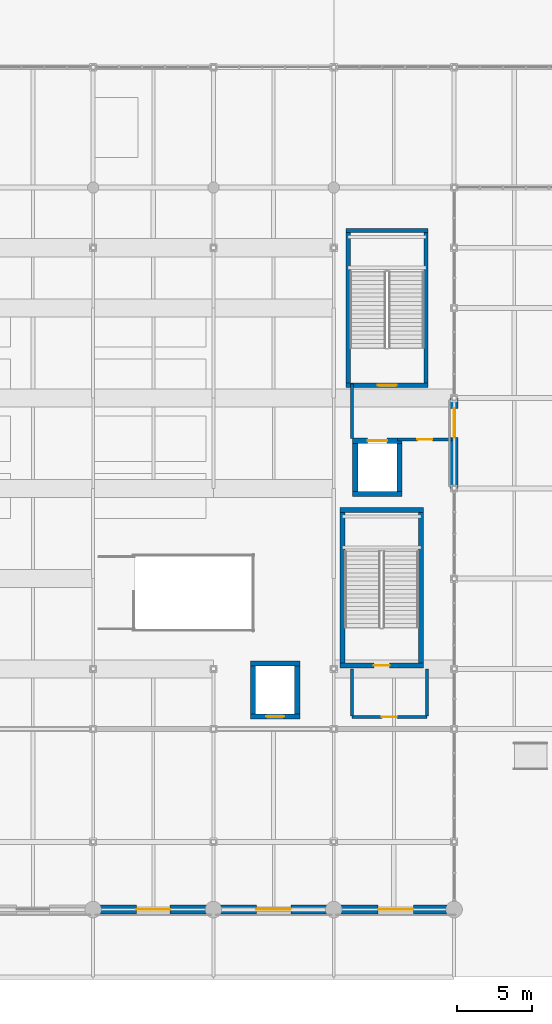
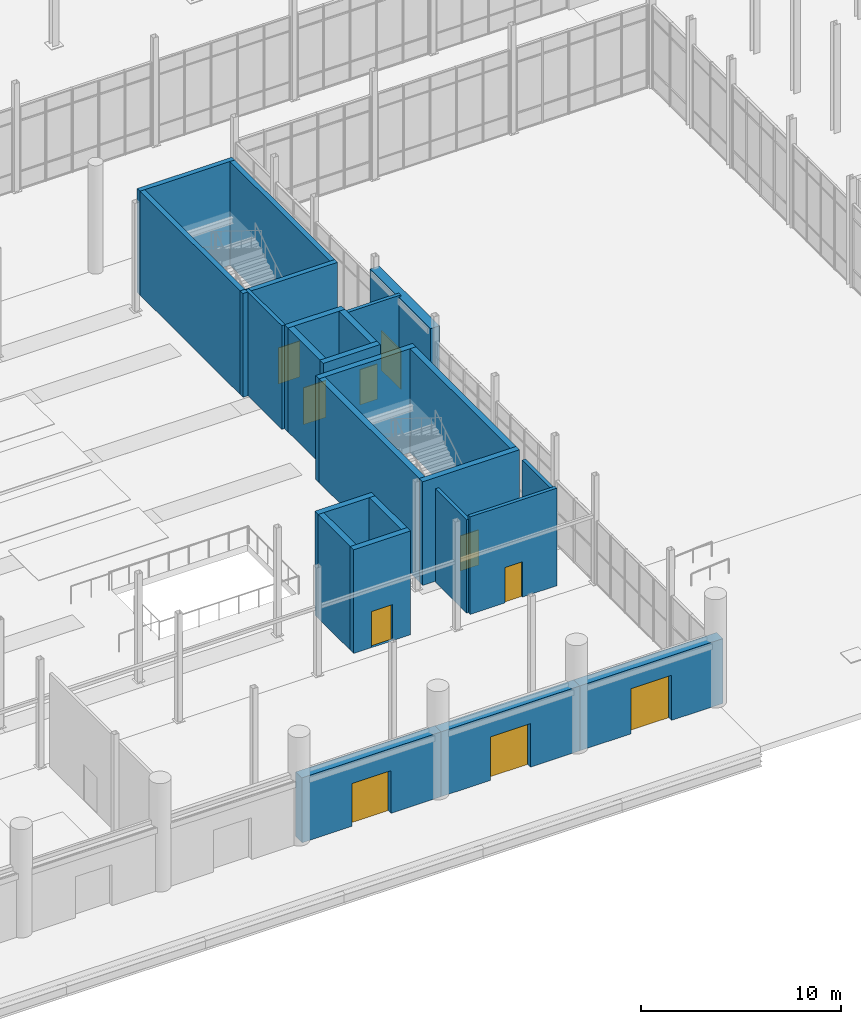
# One storey, part 122 of 140: 25 walls, 10 doors, 10 openings.
"""IFC4 building model written with IfcOpenShell, lengths in metres."""

from ifc_helpers import new_model, si_unit, direction, frame, frame_2d, origin, place, context, subcontext, project, spatial, rectangle, extrude, material, layer, layer_set, type_object, element, fill, save


model = new_model("IFC4")

# Units and contexts
model_context = context("Model", 3, precision=1e-05, world=origin(), true_north=direction((0.0, 1.0)))
body_context = subcontext(model_context, "Body", "Model", "MODEL_VIEW")
ifc_project = project(units=[si_unit("LENGTHUNIT", "METRE"), si_unit("AREAUNIT", "SQUARE_METRE"), si_unit("VOLUMEUNIT", "CUBIC_METRE"), si_unit("PLANEANGLEUNIT", "RADIAN"), si_unit("MASSUNIT", "GRAM", prefix="KILO")], contexts=[model_context])

# Site, building, storey
site_placement = place(None, origin())
site = spatial("IfcSite", under=ifc_project, at=site_placement, CompositionType="ELEMENT")
building_placement = place(site_placement, origin())
building = spatial("IfcBuilding", under=site, at=building_placement, Name="Verrall Gate Interchange", CompositionType="ELEMENT")
storey_placement = place(building_placement, origin())
storey = spatial("IfcBuildingStorey", under=building, at=storey_placement, Name="L01", CompositionType="ELEMENT", Elevation=0.0)

# Wall, opening, door
ifc_material_1 = material(Name="Prairie Charcoal Granite Plinth Rainscreen Assembly (U=0.18)", Category="masonry")
ifc_layer_1 = layer(ifc_material_1, 0.52001953125)
ifc_layer_set_1 = layer_set([ifc_layer_1], Name="Prairie Charcoal Granite Plinth Rainscreen Assembly (U=0.18)")
wall_type_1 = type_object("IfcWallType", Name="EW-03 Exterior Solid Wall 520", PredefinedType="SOLIDWALL", material=ifc_layer_set_1)
wall_1_placement = place(storey_placement, frame((108.0, 34.008056640625, 0.0), z_axis=(0.0, 0.0, 1.0), x_axis=(0.0, -1.0, 0.0)))
wall_1 = element("IfcWall", 1, at=wall_1_placement, inside=storey, type_object=wall_type_1, Name="L01 Classical Limestone Facade Wall 016", PredefinedType="SOLIDWALL", context=body_context, shape_type="SweptSolid", body=[
    extrude(rectangle(XDim=6.01611328125, YDim=0.52001953125, at=frame_2d((3.008056640625, 0.0))), origin(), (0.0, 0.0, 1.0), 5.8369140625),
])
opening_1_placement = place(wall_1_placement, frame((0.68310546875, 0.0, 0.0)))
opening_1 = element("IfcOpeningElement", 2, at=opening_1_placement, cuts=wall_1, Name="Opening E16", PredefinedType="OPENING", context=body_context, shape_type="SweptSolid", body=[
    extrude(rectangle(XDim=1.949951171875, YDim=2.39990234375, at=frame_2d((0.97509765625, 1.199951171875))), frame((0.0, 0.27490234375, 0.0), z_axis=(0.0, -1.0, 0.0), x_axis=(1.0, 0.0, 0.0)), (0.0, 0.0, 1.0), 0.5498046875),
])
ifc_material_2 = material(Name="Thermally Broken Bronze-Anodized Aluminium Entrance Assembly", Category="aluminium")
door_type_1 = type_object("IfcDoorType", Name="ED-01 Exterior Entrance Door 1950x2400", OperationType="NOTDEFINED", PredefinedType="DOOR", material=ifc_material_2)
door_1_placement = place(opening_1_placement, origin())
door_1 = element("IfcDoor", 3, at=door_1_placement, inside=storey, type_object=door_type_1, Name="Main Interchange Exit Portal E16", OperationType="DOUBLE_DOOR_SINGLE_SWING", OverallHeight=2.39990234375, OverallWidth=1.949951171875, PredefinedType="DOOR", context=body_context, shape_type="SweptSolid", body=[
    extrude(rectangle(XDim=1.949951171875, YDim=2.39990234375, at=frame_2d((0.97509765625, 1.199951171875))), frame((0.0, 0.02490234375, 0.0), z_axis=(0.0, -1.0, 0.0), x_axis=(1.0, 0.0, 0.0)), (0.0, 0.0, 1.0), 0.050048828125),
])
fill(opening_1, door_1)

ifc_material_3 = material(Name="Prairie Charcoal Granite Plinth Rainscreen Assembly (U=0.18)", Category="masonry")
ifc_layer_2 = layer(ifc_material_3, 0.6201171875)
ifc_layer_set_2 = layer_set([ifc_layer_2], Name="Prairie Charcoal Granite Plinth Rainscreen Assembly (U=0.18)")
wall_type_2 = type_object("IfcWallType", Name="EW-05 Exterior Solid Wall 620", PredefinedType="SOLIDWALL", material=ifc_layer_set_2)
wall_2_placement = place(storey_placement, frame((83.991943359375, 0.0, 0.0), z_axis=(0.0, 0.0, 1.0), x_axis=(1.0, 0.0, 0.0)))
wall_2 = element("IfcWall", 4, at=wall_2_placement, inside=storey, type_object=wall_type_2, Name="L01 Classical Limestone Facade Wall 013", PredefinedType="SOLIDWALL", context=body_context, shape_type="SweptSolid", body=[
    extrude(rectangle(XDim=8.01611328125, YDim=0.6201171875, at=frame_2d((4.008056640625, 0.0))), origin(), (0.0, 0.0, 1.0), 3.952880859375),
])
opening_2_placement = place(wall_2_placement, frame((2.887939453125, 0.0, 0.0)))
opening_2 = element("IfcOpeningElement", 5, at=opening_2_placement, cuts=wall_2, Name="Opening E13", PredefinedType="OPENING", context=body_context, shape_type="SweptSolid", body=[
    extrude(rectangle(XDim=2.239990234375, YDim=2.60009765625, at=frame_2d((1.1201171875, 1.300048828125))), frame((0.0, 0.324951171875, 0.0), z_axis=(0.0, -1.0, 0.0), x_axis=(1.0, 0.0, 0.0)), (0.0, 0.0, 1.0), 0.64990234375),
])
ifc_material_4 = material(Name="Thermally Broken Bronze-Anodized Aluminium Entrance Assembly", Category="aluminium")
door_type_2 = type_object("IfcDoorType", Name="ED-05 Exterior Entrance Door 2240x2600", OperationType="NOTDEFINED", PredefinedType="DOOR", material=ifc_material_4)
door_2_placement = place(opening_2_placement, origin())
door_2 = element("IfcDoor", 6, at=door_2_placement, inside=storey, type_object=door_type_2, Name="Main Interchange Exit Portal E13", OperationType="DOUBLE_DOOR_SINGLE_SWING", OverallHeight=2.60009765625, OverallWidth=2.239990234375, PredefinedType="DOOR", context=body_context, shape_type="SweptSolid", body=[
    extrude(rectangle(XDim=2.239990234375, YDim=2.60009765625, at=frame_2d((1.1201171875, 1.300048828125))), frame((0.0, 0.02490234375, 0.0), z_axis=(0.0, -1.0, 0.0), x_axis=(1.0, 0.0, 0.0)), (0.0, 0.0, 1.0), 0.050048828125),
])
fill(opening_2, door_2)

wall_3_placement = place(storey_placement, frame((91.991943359375, 0.0, 0.0), z_axis=(0.0, 0.0, 1.0), x_axis=(1.0, 0.0, 0.0)))
wall_3 = element("IfcWall", 7, at=wall_3_placement, inside=storey, type_object=wall_type_2, Name="L01 Classical Limestone Facade Wall 014", PredefinedType="SOLIDWALL", context=body_context, shape_type="SweptSolid", body=[
    extrude(rectangle(XDim=8.01611328125, YDim=0.6201171875, at=frame_2d((4.008056640625, 0.0))), origin(), (0.0, 0.0, 1.0), 3.952880859375),
])
opening_3_placement = place(wall_3_placement, frame((2.85791015625, 0.0, 0.0)))
opening_3 = element("IfcOpeningElement", 8, at=opening_3_placement, cuts=wall_3, Name="Opening E14", PredefinedType="OPENING", context=body_context, shape_type="SweptSolid", body=[
    extrude(rectangle(XDim=2.300048828125, YDim=2.64990234375, at=frame_2d((1.14990234375, 1.324951171875))), frame((0.0, 0.324951171875, 0.0), z_axis=(0.0, -1.0, 0.0), x_axis=(1.0, 0.0, 0.0)), (0.0, 0.0, 1.0), 0.64990234375),
])
ifc_material_5 = material(Name="Thermally Broken Bronze-Anodized Aluminium Entrance Assembly", Category="aluminium")
door_type_3 = type_object("IfcDoorType", Name="ED-06 Exterior Entrance Door 2300x2650", OperationType="NOTDEFINED", PredefinedType="DOOR", material=ifc_material_5)
door_3_placement = place(opening_3_placement, origin())
door_3 = element("IfcDoor", 9, at=door_3_placement, inside=storey, type_object=door_type_3, Name="Main Interchange Exit Portal E14", OperationType="DOUBLE_DOOR_SINGLE_SWING", OverallHeight=2.64990234375, OverallWidth=2.300048828125, PredefinedType="DOOR", context=body_context, shape_type="SweptSolid", body=[
    extrude(rectangle(XDim=2.300048828125, YDim=2.64990234375, at=frame_2d((1.14990234375, 1.324951171875))), frame((0.0, 0.02490234375, 0.0), z_axis=(0.0, -1.0, 0.0), x_axis=(1.0, 0.0, 0.0)), (0.0, 0.0, 1.0), 0.050048828125),
])
fill(opening_3, door_3)

wall_4_placement = place(storey_placement, frame((99.991943359375, 0.0, 0.0), z_axis=(0.0, 0.0, 1.0), x_axis=(1.0, 0.0, 0.0)))
wall_4 = element("IfcWall", 10, at=wall_4_placement, inside=storey, type_object=wall_type_2, Name="L01 Classical Limestone Facade Wall 015", PredefinedType="SOLIDWALL", context=body_context, shape_type="SweptSolid", body=[
    extrude(rectangle(XDim=8.258056640625, YDim=0.6201171875, at=frame_2d((4.12890625, 0.0))), origin(), (0.0, 0.0, 1.0), 3.952880859375),
])
opening_4_placement = place(wall_4_placement, frame((2.958984375, 0.0, 0.0)))
opening_4 = element("IfcOpeningElement", 11, at=opening_4_placement, cuts=wall_4, Name="Opening E15", PredefinedType="OPENING", context=body_context, shape_type="SweptSolid", body=[
    extrude(rectangle(XDim=2.340087890625, YDim=2.75, at=frame_2d((1.169921875, 1.375))), frame((0.0, 0.324951171875, 0.0), z_axis=(0.0, -1.0, 0.0), x_axis=(1.0, 0.0, 0.0)), (0.0, 0.0, 1.0), 0.64990234375),
])
ifc_material_6 = material(Name="Thermally Broken Bronze-Anodized Aluminium Entrance Assembly", Category="aluminium")
door_type_4 = type_object("IfcDoorType", Name="ED-07 Exterior Entrance Door 2340x2750", OperationType="NOTDEFINED", PredefinedType="DOOR", material=ifc_material_6)
door_4_placement = place(opening_4_placement, origin())
door_4 = element("IfcDoor", 12, at=door_4_placement, inside=storey, type_object=door_type_4, Name="Main Interchange Exit Portal E15", OperationType="DOUBLE_DOOR_SINGLE_SWING", OverallHeight=2.75, OverallWidth=2.340087890625, PredefinedType="DOOR", context=body_context, shape_type="SweptSolid", body=[
    extrude(rectangle(XDim=2.340087890625, YDim=2.75, at=frame_2d((1.169921875, 1.375))), frame((0.0, 0.02490234375, 0.0), z_axis=(0.0, -1.0, 0.0), x_axis=(1.0, 0.0, 0.0)), (0.0, 0.0, 1.0), 0.050048828125),
])
fill(opening_4, door_4)

ifc_material_7 = material(Name="Fire-Rated Type X Gypsum Stud Partition Assembly (60 min)", Category="gypsum")
ifc_layer_3 = layer(ifc_material_7, 0.199951171875)
ifc_layer_set_3 = layer_set([ifc_layer_3], Name="Fire-Rated Type X Gypsum Stud Partition Assembly (60 min)")
wall_type_3 = type_object("IfcWallType", Name="IW-01 Interior Partition Wall 200", PredefinedType="PARTITIONING", material=ifc_layer_set_3)
wall_5_placement = place(storey_placement, frame((101.199951171875, 12.800048828125, 0.0), z_axis=(0.0, 0.0, 1.0), x_axis=(1.0, 0.0, 0.0)))
wall_5 = element("IfcWall", 13, at=wall_5_placement, inside=storey, type_object=wall_type_3, Name="L01 Core C6 Lobby South Rated Wall", PredefinedType="PARTITIONING", context=body_context, shape_type="SweptSolid", body=[
    extrude(rectangle(XDim=5.0, YDim=0.199951171875, at=frame_2d((2.5, 0.0))), origin(), (0.0, 0.0, 1.0), 5.94189453125),
])
opening_5_placement = place(wall_5_placement, frame((2.0, 0.0, 0.0)))
opening_5 = element("IfcOpeningElement", 14, at=opening_5_placement, cuts=wall_5, Name="Opening LBD077", PredefinedType="OPENING", context=body_context, shape_type="SweptSolid", body=[
    extrude(rectangle(XDim=1.0, YDim=2.14990234375, at=frame_2d((0.5, 1.074951171875))), frame((0.0, 0.11474609375, 0.0), z_axis=(0.0, -1.0, 0.0), x_axis=(1.0, 0.0, 0.0)), (0.0, 0.0, 1.0), 0.229736328125),
])
ifc_material_8 = material(Name="Hollow-Metal Fire-Rated Door Assembly", Category="metal")
door_type_5 = type_object("IfcDoorType", Name="ID-05 Interior Swing Door 1000x2150", OperationType="NOTDEFINED", PredefinedType="DOOR", material=ifc_material_8)
door_5_placement = place(opening_5_placement, origin())
door_5 = element("IfcDoor", 15, at=door_5_placement, inside=storey, type_object=door_type_5, Name="L01 Core C6 Lobby Fire Door LBD077", OperationType="SINGLE_SWING_LEFT", OverallHeight=2.14990234375, OverallWidth=1.0, PredefinedType="DOOR", context=body_context, shape_type="SweptSolid", body=[
    extrude(rectangle(XDim=1.0, YDim=2.14990234375, at=frame_2d((0.5, 1.074951171875))), frame((0.0, 0.02490234375, 0.0), z_axis=(0.0, -1.0, 0.0), x_axis=(1.0, 0.0, 0.0)), (0.0, 0.0, 1.0), 0.050048828125),
])
fill(opening_5, door_5)

# Walls
for number, where, z_axis, x_axis, name in (
    (16, (101.199951171875, 16.0, 0.0), (0.0, 0.0, 1.0), (0.0, -1.0, 0.0), "L01 Core C6 Lobby West Rated Wall"),
    (17, (106.199951171875, 12.8798828125, 0.0), (0.0, 0.0, 1.0), (0.0, 1.0, 0.0), "L01 Core C6 Lobby East Rated Wall"),
):
    element("IfcWall", number, at=place(storey_placement, frame(where, z_axis=z_axis, x_axis=x_axis)), inside=storey, type_object=wall_type_3, Name=name, PredefinedType="PARTITIONING", context=body_context, shape_type="SweptSolid", body=[
        extrude(rectangle(XDim=3.1201171875, YDim=0.199951171875, at=frame_2d((1.56005859375, 0.0))), origin(), (0.0, 0.0, 1.0), 5.68896484375),
    ])

# Wall, opening, door
wall_6_placement = place(storey_placement, frame((104.25, 31.25, 0.0), z_axis=(0.0, 0.0, 1.0), x_axis=(1.0, 0.0, 0.0)))
wall_6 = element("IfcWall", 18, at=wall_6_placement, inside=storey, type_object=wall_type_3, Name="L01 Core C7 Lobby South Rated Wall", PredefinedType="PARTITIONING", context=body_context, shape_type="SweptSolid", body=[
    extrude(rectangle(XDim=3.60009765625, YDim=0.199951171875, at=frame_2d((1.800048828125, 0.0))), origin(), (0.0, 0.0, 1.0), 5.946044921875),
])
opening_6_placement = place(wall_6_placement, frame((1.300048828125, 0.0, 0.0)))
opening_6 = element("IfcOpeningElement", 19, at=opening_6_placement, cuts=wall_6, Name="Opening LBD085", PredefinedType="OPENING", context=body_context, shape_type="SweptSolid", body=[
    extrude(rectangle(XDim=1.0, YDim=2.14990234375, at=frame_2d((0.5, 1.074951171875))), frame((0.0, 0.11474609375, 0.0), z_axis=(0.0, -1.0, 0.0), x_axis=(1.0, 0.0, 0.0)), (0.0, 0.0, 1.0), 0.229736328125),
])
door_6_placement = place(opening_6_placement, origin())
door_6 = element("IfcDoor", 20, at=door_6_placement, inside=storey, type_object=door_type_5, Name="L01 Core C7 Lobby Fire Door LBD085", OperationType="SINGLE_SWING_LEFT", OverallHeight=2.14990234375, OverallWidth=1.0, PredefinedType="DOOR", context=body_context, shape_type="SweptSolid", body=[
    extrude(rectangle(XDim=1.0, YDim=2.14990234375, at=frame_2d((0.5, 1.074951171875))), frame((0.0, 0.02490234375, 0.0), z_axis=(0.0, -1.0, 0.0), x_axis=(1.0, 0.0, 0.0)), (0.0, 0.0, 1.0), 0.050048828125),
])
fill(opening_6, door_6)

# Wall
wall_7_placement = place(storey_placement, frame((101.199951171875, 34.949951171875, 0.0), z_axis=(0.0, 0.0, 1.0), x_axis=(0.0, -1.0, 0.0)))
element("IfcWall", 21, at=wall_7_placement, inside=storey, type_object=wall_type_3, Name="L01 Core C7 Lobby West Rated Wall", PredefinedType="PARTITIONING", context=body_context, shape_type="SweptSolid", body=[
    extrude(rectangle(XDim=3.619873046875, YDim=0.199951171875, at=frame_2d((1.81005859375, 0.0))), origin(), (0.0, 0.0, 1.0), 6.320068359375),
])

# Wall, opening, door
ifc_material_9 = material(Name="Concrete CSA A23.1 40 MPa (Class N)", Category="concrete")
ifc_layer_4 = layer(ifc_material_9, 0.340087890625)
ifc_layer_set_4 = layer_set([ifc_layer_4], Name="Concrete CSA A23.1 40 MPa (Class N)")
wall_type_4 = type_object("IfcWallType", Name="SW-02 Core Shear Wall 340", PredefinedType="SHEAR", material=ifc_layer_set_4)
wall_8_placement = place(storey_placement, frame((100.39990234375, 16.22998046875, 0.0), z_axis=(0.0, 0.0, 1.0), x_axis=(1.0, 0.0, 0.0)))
wall_8 = element("IfcWall", 22, at=wall_8_placement, inside=storey, type_object=wall_type_4, Name="L01 Core C6 South Shear Wall", PredefinedType="SHEAR", context=body_context, shape_type="SweptSolid", body=[
    extrude(rectangle(XDim=5.580078125, YDim=0.340087890625, at=frame_2d((2.7900390625, 0.0))), origin(), (0.0, 0.0, 1.0), 6.320068359375),
])
opening_7_placement = place(wall_8_placement, frame((2.264892578125, 0.0, 0.0)))
opening_7 = element("IfcOpeningElement", 23, at=opening_7_placement, cuts=wall_8, Name="Opening SD073", PredefinedType="OPENING", context=body_context, shape_type="SweptSolid", body=[
    extrude(rectangle(XDim=1.050048828125, YDim=2.14990234375, at=frame_2d((0.52490234375, 1.074951171875))), frame((0.0, 0.18505859375, 0.0), z_axis=(0.0, -1.0, 0.0), x_axis=(1.0, 0.0, 0.0)), (0.0, 0.0, 1.0), 0.369873046875),
])
ifc_material_10 = material(Name="Hollow-Metal Fire-Rated Door Assembly", Category="metal")
door_type_6 = type_object("IfcDoorType", Name="ID-01 Interior Swing Door 1050x2150", OperationType="NOTDEFINED", PredefinedType="DOOR", material=ifc_material_10)
door_7_placement = place(opening_7_placement, origin())
door_7 = element("IfcDoor", 24, at=door_7_placement, inside=storey, type_object=door_type_6, Name="L01 Stair ST-06 Fire Door SD073", OperationType="SINGLE_SWING_LEFT", OverallHeight=2.14990234375, OverallWidth=1.050048828125, PredefinedType="DOOR", context=body_context, shape_type="SweptSolid", body=[
    extrude(rectangle(XDim=1.050048828125, YDim=2.14990234375, at=frame_2d((0.52490234375, 1.074951171875))), frame((0.0, 0.02490234375, 0.0), z_axis=(0.0, -1.0, 0.0), x_axis=(1.0, 0.0, 0.0)), (0.0, 0.0, 1.0), 0.050048828125),
])
fill(opening_7, door_7)

# Walls
wall_9_placement = place(storey_placement, frame((105.97998046875, 26.570068359375, 0.0), z_axis=(0.0, 0.0, 1.0), x_axis=(-1.0, 0.0, 0.0)))
element("IfcWall", 25, at=wall_9_placement, inside=storey, type_object=wall_type_4, Name="L01 Core C6 North Shear Wall", PredefinedType="SHEAR", context=body_context, shape_type="SweptSolid", body=[
    extrude(rectangle(XDim=5.580078125, YDim=0.340087890625, at=frame_2d((2.7900390625, 0.0))), origin(), (0.0, 0.0, 1.0), 6.320068359375),
])
for number, where, z_axis, x_axis, name in (
    (26, (100.570068359375, 26.39990234375, 0.0), (0.0, 0.0, 1.0), (0.0, -1.0, 0.0), "L01 Core C6 West Shear Wall"),
    (27, (105.81005859375, 16.39990234375, 0.0), (0.0, 0.0, 1.0), (0.0, 1.0, 0.0), "L01 Core C6 East Shear Wall"),
):
    element("IfcWall", number, at=place(storey_placement, frame(where, z_axis=z_axis, x_axis=x_axis)), inside=storey, type_object=wall_type_4, Name=name, PredefinedType="SHEAR", context=body_context, shape_type="SweptSolid", body=[
        extrude(rectangle(XDim=10.0, YDim=0.340087890625, at=frame_2d((5.0, 0.0))), origin(), (0.0, 0.0, 1.0), 6.320068359375),
    ])

# Wall, opening, door
wall_10_placement = place(storey_placement, frame((94.4599609375, 12.830078125, 0.0), z_axis=(0.0, 0.0, 1.0), x_axis=(1.0, 0.0, 0.0)))
wall_10 = element("IfcWall", 28, at=wall_10_placement, inside=storey, type_object=wall_type_4, Name="L01 Elevator EL-04 South Shaft Wall", PredefinedType="SHEAR", context=body_context, shape_type="SweptSolid", body=[
    extrude(rectangle(XDim=3.280029296875, YDim=0.340087890625, at=frame_2d((1.64013671875, 0.0))), origin(), (0.0, 0.0, 1.0), 6.320068359375),
])
opening_8_placement = place(wall_10_placement, frame((1.0400390625, 0.0, 0.0)))
opening_8 = element("IfcOpeningElement", 29, at=opening_8_placement, cuts=wall_10, Name="Opening LD-04-L01", PredefinedType="OPENING", context=body_context, shape_type="SweptSolid", body=[
    extrude(rectangle(XDim=1.199951171875, YDim=2.199951171875, at=frame_2d((0.60009765625, 1.10009765625))), frame((0.0, 0.18505859375, 0.0), z_axis=(0.0, -1.0, 0.0), x_axis=(1.0, 0.0, 0.0)), (0.0, 0.0, 1.0), 0.369873046875),
])
ifc_material_11 = material(Name="Stainless-Steel Elevator Landing Sliding Door Assembly", Category="steel")
door_type_7 = type_object("IfcDoorType", Name="LD-02 Elevator Sliding Landing Door 1200x2200", OperationType="NOTDEFINED", PredefinedType="DOOR", material=ifc_material_11)
door_8_placement = place(opening_8_placement, origin())
door_8 = element("IfcDoor", 30, at=door_8_placement, inside=storey, type_object=door_type_7, Name="L01 Elevator EL-04 Sliding Landing Door", OperationType="DOUBLE_DOOR_SLIDING", OverallHeight=2.199951171875, OverallWidth=1.199951171875, PredefinedType="DOOR", context=body_context, shape_type="SweptSolid", body=[
    extrude(rectangle(XDim=1.199951171875, YDim=2.199951171875, at=frame_2d((0.60009765625, 1.10009765625))), frame((0.0, 0.02490234375, 0.0), z_axis=(0.0, -1.0, 0.0), x_axis=(1.0, 0.0, 0.0)), (0.0, 0.0, 1.0), 0.050048828125),
])
fill(opening_8, door_8)

# Walls
wall_11_placement = place(storey_placement, frame((97.739990234375, 16.3701171875, 0.0), z_axis=(0.0, 0.0, 1.0), x_axis=(-1.0, 0.0, 0.0)))
element("IfcWall", 31, at=wall_11_placement, inside=storey, type_object=wall_type_4, Name="L01 Elevator EL-04 North Shaft Wall", PredefinedType="SHEAR", context=body_context, shape_type="SweptSolid", body=[
    extrude(rectangle(XDim=3.280029296875, YDim=0.340087890625, at=frame_2d((1.64013671875, 0.0))), origin(), (0.0, 0.0, 1.0), 6.320068359375),
])
for number, where, z_axis, x_axis, name in (
    (32, (94.6298828125, 16.199951171875, 0.0), (0.0, 0.0, 1.0), (0.0, -1.0, 0.0), "L01 Elevator EL-04 West Shaft Wall"),
    (33, (97.570068359375, 13.0, 0.0), (0.0, 0.0, 1.0), (0.0, 1.0, 0.0), "L01 Elevator EL-04 East Shaft Wall"),
):
    element("IfcWall", number, at=place(storey_placement, frame(where, z_axis=z_axis, x_axis=x_axis)), inside=storey, type_object=wall_type_4, Name=name, PredefinedType="SHEAR", context=body_context, shape_type="SweptSolid", body=[
        extrude(rectangle(XDim=3.199951171875, YDim=0.340087890625, at=frame_2d((1.60009765625, 0.0))), origin(), (0.0, 0.0, 1.0), 6.320068359375),
    ])
wall_12_placement = place(storey_placement, frame((101.260009765625, 27.6298828125, 0.0), z_axis=(0.0, 0.0, 1.0), x_axis=(1.0, 0.0, 0.0)))
element("IfcWall", 34, at=wall_12_placement, inside=storey, type_object=wall_type_4, Name="L01 Elevator EL-05 South Shaft Wall", PredefinedType="SHEAR", context=body_context, shape_type="SweptSolid", body=[
    extrude(rectangle(XDim=3.280029296875, YDim=0.340087890625, at=frame_2d((1.64013671875, 0.0))), origin(), (0.0, 0.0, 1.0), 6.320068359375),
])

# Wall, opening, door
wall_13_placement = place(storey_placement, frame((104.5400390625, 31.169921875, 0.0), z_axis=(0.0, 0.0, 1.0), x_axis=(-1.0, 0.0, 0.0)))
wall_13 = element("IfcWall", 35, at=wall_13_placement, inside=storey, type_object=wall_type_4, Name="L01 Elevator EL-05 North Shaft Wall", PredefinedType="SHEAR", context=body_context, shape_type="SweptSolid", body=[
    extrude(rectangle(XDim=3.280029296875, YDim=0.340087890625, at=frame_2d((1.64013671875, 0.0))), origin(), (0.0, 0.0, 1.0), 6.320068359375),
])
opening_9_placement = place(wall_13_placement, frame((0.989990234375, 0.0, 0.0)))
opening_9 = element("IfcOpeningElement", 36, at=opening_9_placement, cuts=wall_13, Name="Opening LD-05-L01", PredefinedType="OPENING", context=body_context, shape_type="SweptSolid", body=[
    extrude(rectangle(XDim=1.300048828125, YDim=2.25, at=frame_2d((0.64990234375, 1.125))), frame((0.0, 0.18505859375, 0.0), z_axis=(0.0, -1.0, 0.0), x_axis=(1.0, 0.0, 0.0)), (0.0, 0.0, 1.0), 0.369873046875),
])
ifc_material_12 = material(Name="Stainless-Steel Elevator Landing Sliding Door Assembly", Category="steel")
door_type_8 = type_object("IfcDoorType", Name="LD-03 Elevator Sliding Landing Door 1300x2250", OperationType="NOTDEFINED", PredefinedType="DOOR", material=ifc_material_12)
door_9_placement = place(opening_9_placement, origin())
door_9 = element("IfcDoor", 37, at=door_9_placement, inside=storey, type_object=door_type_8, Name="L01 Elevator EL-05 Sliding Landing Door", OperationType="DOUBLE_DOOR_SLIDING", OverallHeight=2.25, OverallWidth=1.300048828125, PredefinedType="DOOR", context=body_context, shape_type="SweptSolid", body=[
    extrude(rectangle(XDim=1.300048828125, YDim=2.25, at=frame_2d((0.64990234375, 1.125))), frame((0.0, 0.02490234375, 0.0), z_axis=(0.0, -1.0, 0.0), x_axis=(1.0, 0.0, 0.0)), (0.0, 0.0, 1.0), 0.050048828125),
])
fill(opening_9, door_9)

# Walls
for number, where, z_axis, x_axis, name in (
    (38, (101.429931640625, 31.0, 0.0), (0.0, 0.0, 1.0), (0.0, -1.0, 0.0), "L01 Elevator EL-05 West Shaft Wall"),
    (39, (104.3701171875, 27.800048828125, 0.0), (0.0, 0.0, 1.0), (0.0, 1.0, 0.0), "L01 Elevator EL-05 East Shaft Wall"),
):
    element("IfcWall", number, at=place(storey_placement, frame(where, z_axis=z_axis, x_axis=x_axis)), inside=storey, type_object=wall_type_4, Name=name, PredefinedType="SHEAR", context=body_context, shape_type="SweptSolid", body=[
        extrude(rectangle(XDim=3.199951171875, YDim=0.340087890625, at=frame_2d((1.60009765625, 0.0))), origin(), (0.0, 0.0, 1.0), 6.320068359375),
    ])

# Wall, opening, door
ifc_material_13 = material(Name="Concrete CSA A23.1 40 MPa (Class N)", Category="concrete")
ifc_layer_5 = layer(ifc_material_13, 0.280029296875)
ifc_layer_set_5 = layer_set([ifc_layer_5], Name="Concrete CSA A23.1 40 MPa (Class N)")
wall_type_5 = type_object("IfcWallType", Name="SW-03 Core Shear Wall 280", PredefinedType="SHEAR", material=ifc_layer_set_5)
wall_14_placement = place(storey_placement, frame((100.820068359375, 34.860107421875, 0.0), z_axis=(0.0, 0.0, 1.0), x_axis=(1.0, 0.0, 0.0)))
wall_14 = element("IfcWall", 40, at=wall_14_placement, inside=storey, type_object=wall_type_5, Name="L01 Core C7 South Shear Wall", PredefinedType="SHEAR", context=body_context, shape_type="SweptSolid", body=[
    extrude(rectangle(XDim=5.4599609375, YDim=0.280029296875, at=frame_2d((2.72998046875, 0.0))), origin(), (0.0, 0.0, 1.0), 6.320068359375),
])
opening_10_placement = place(wall_14_placement, frame((2.10498046875, 0.0, 0.0)))
opening_10 = element("IfcOpeningElement", 41, at=opening_10_placement, cuts=wall_14, Name="Opening SD081", PredefinedType="OPENING", context=body_context, shape_type="SweptSolid", body=[
    extrude(rectangle(XDim=1.25, YDim=2.199951171875, at=frame_2d((0.625, 1.10009765625))), frame((0.0, 0.15478515625, 0.0), z_axis=(0.0, -1.0, 0.0), x_axis=(1.0, 0.0, 0.0)), (0.0, 0.0, 1.0), 0.309814453125),
])
ifc_material_14 = material(Name="Hollow-Metal Fire-Rated Door Assembly", Category="metal")
door_type_9 = type_object("IfcDoorType", Name="ID-03 Interior Swing Door 1250x2200", OperationType="NOTDEFINED", PredefinedType="DOOR", material=ifc_material_14)
door_10_placement = place(opening_10_placement, origin())
door_10 = element("IfcDoor", 42, at=door_10_placement, inside=storey, type_object=door_type_9, Name="L01 Stair ST-07 Fire Door SD081", OperationType="SINGLE_SWING_LEFT", OverallHeight=2.199951171875, OverallWidth=1.25, PredefinedType="DOOR", context=body_context, shape_type="SweptSolid", body=[
    extrude(rectangle(XDim=1.25, YDim=2.199951171875, at=frame_2d((0.625, 1.10009765625))), frame((0.0, 0.02490234375, 0.0), z_axis=(0.0, -1.0, 0.0), x_axis=(1.0, 0.0, 0.0)), (0.0, 0.0, 1.0), 0.050048828125),
])
fill(opening_10, door_10)

# Walls
wall_15_placement = place(storey_placement, frame((106.280029296875, 45.139892578125, 0.0), z_axis=(0.0, 0.0, 1.0), x_axis=(-1.0, 0.0, 0.0)))
element("IfcWall", 43, at=wall_15_placement, inside=storey, type_object=wall_type_5, Name="L01 Core C7 North Shear Wall", PredefinedType="SHEAR", context=body_context, shape_type="SweptSolid", body=[
    extrude(rectangle(XDim=5.4599609375, YDim=0.280029296875, at=frame_2d((2.72998046875, 0.0))), origin(), (0.0, 0.0, 1.0), 6.320068359375),
])
for number, where, z_axis, x_axis, name in (
    (44, (100.9599609375, 45.0, 0.0), (0.0, 0.0, 1.0), (0.0, -1.0, 0.0), "L01 Core C7 West Shear Wall"),
    (45, (106.139892578125, 35.0, 0.0), (0.0, 0.0, 1.0), (0.0, 1.0, 0.0), "L01 Core C7 East Shear Wall"),
):
    element("IfcWall", number, at=place(storey_placement, frame(where, z_axis=z_axis, x_axis=x_axis)), inside=storey, type_object=wall_type_5, Name=name, PredefinedType="SHEAR", context=body_context, shape_type="SweptSolid", body=[
        extrude(rectangle(XDim=10.0, YDim=0.280029296875, at=frame_2d((5.0, 0.0))), origin(), (0.0, 0.0, 1.0), 6.320068359375),
    ])

save(model, "model.ifc")
